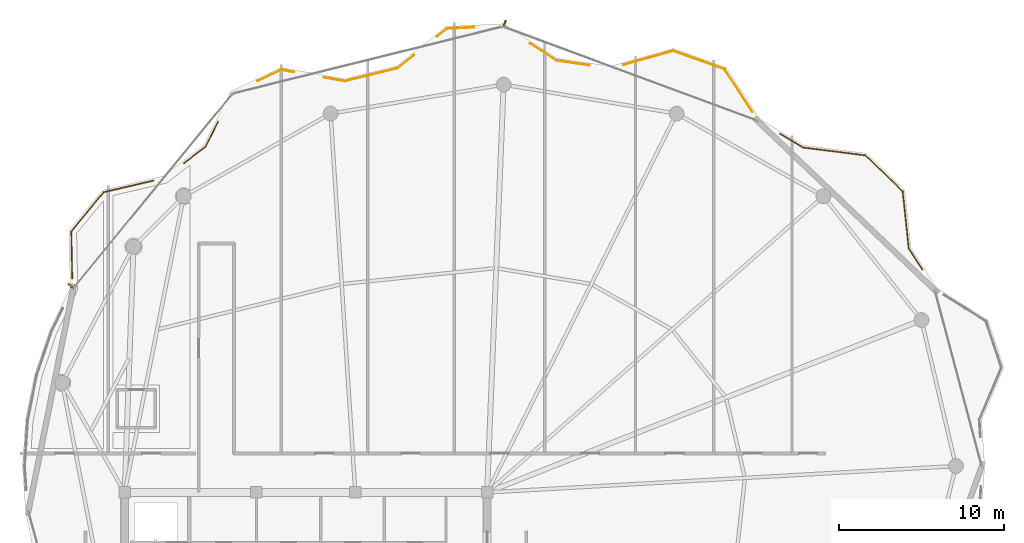
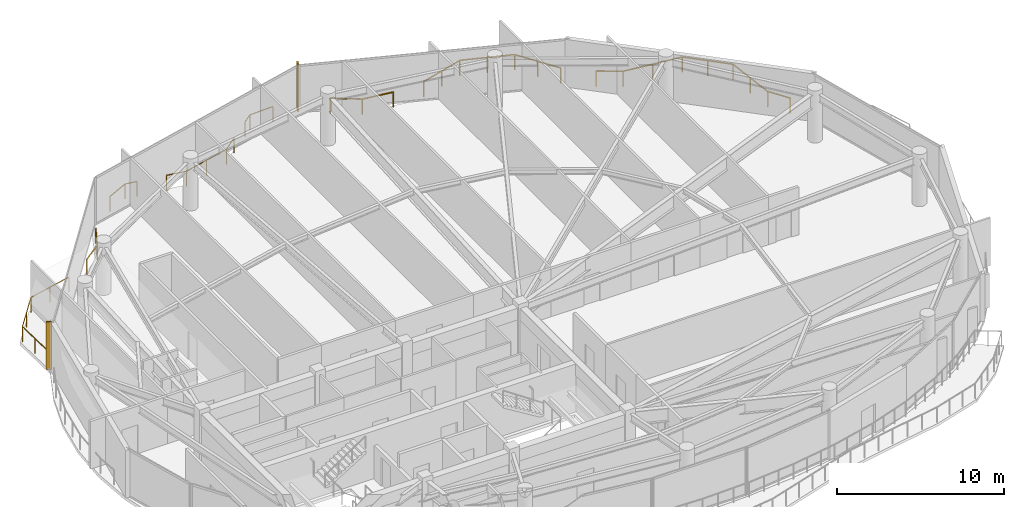
# One storey, part 29 of 29: 8 railings, 2 shading devices.
"""IFC4 building model written with IfcOpenShell, lengths in metres."""

from ifc_helpers import new_model, si_unit, direction, frame, origin, origin_2d, place, context, subcontext, project, spatial, rectangle, extrude, material, type_object, element, save


model = new_model("IFC4")

# Units and contexts
model_context = context("Model", 3, precision=1e-05, world=origin(), true_north=direction((0.0, 1.0)))
body_context = subcontext(model_context, "Body", "Model", "MODEL_VIEW")
ifc_project = project(units=[si_unit("LENGTHUNIT", "METRE"), si_unit("AREAUNIT", "SQUARE_METRE"), si_unit("VOLUMEUNIT", "CUBIC_METRE"), si_unit("PLANEANGLEUNIT", "RADIAN"), si_unit("MASSUNIT", "GRAM", prefix="KILO")], contexts=[model_context])

# Site, building, storey
site_placement = place(None, origin())
site = spatial("IfcSite", under=ifc_project, at=site_placement, CompositionType="ELEMENT")
building_placement = place(site_placement, origin())
building = spatial("IfcBuilding", under=site, at=building_placement, Name="Kazevale Care Tower and Concert Hall", CompositionType="ELEMENT")
storey_placement = place(building_placement, frame((0.0, 0.0, 289.0)))
storey = spatial("IfcBuildingStorey", under=building, at=storey_placement, Name="L76", CompositionType="ELEMENT", Elevation=289.0)

# Railings
ifc_material_1 = material(Name="Anodised Bronze Aluminium and Laminated Glass", Category="aluminium")
railing_type = type_object("IfcRailingType", Name="Balcony and Terrace Balustrade 1120", PredefinedType="BALUSTRADE", material=ifc_material_1)
railing_1_placement = place(storey_placement, frame((18.821044921875, 49.384033203125, 0.0)))
element("IfcRailing", 1, at=railing_1_placement, inside=storey, type_object=railing_type, Name="rail:L76:perim:2", PredefinedType="BALUSTRADE", context=body_context, shape_type="SweptSolid", body=[
    extrude(rectangle(XDim=0.048095703125, YDim=0.048095703125, at=origin_2d()), frame((0.0, 0.0, 1.09619140625), z_axis=(-0.019684594685, 0.999806239595, 0.0), x_axis=(-0.999806239595, -0.019684594685, 0.0)), (0.0, 0.0, 1.0), 2.8525390625),
    extrude(rectangle(XDim=0.048095703125, YDim=0.048095703125, at=origin_2d()), frame((-0.05615234375, 2.85205078125, 1.09619140625), z_axis=(0.635732243255, 0.771909654614, 0.0), x_axis=(-0.771909654614, 0.635732243255, 0.0)), (0.0, 0.0, 1.0), 3.081787109375),
    extrude(rectangle(XDim=0.048095703125, YDim=0.048095703125, at=origin_2d()), frame((1.903076171875, 5.23095703125, 1.09619140625), z_axis=(0.973717091903, 0.227760894218, 0.0), x_axis=(-0.227760894218, 0.973717091903, 0.0)), (0.0, 0.0, 1.0), 3.108642578125),
    extrude(rectangle(XDim=0.0419921875, YDim=0.0419921875, at=origin_2d()), origin(), (0.0, 0.0, 1.0), 1.072021484375),
    extrude(rectangle(XDim=0.0419921875, YDim=0.0419921875, at=origin_2d()), frame((-0.028076171875, 1.426025390625, 0.0)), (0.0, 0.0, 1.0), 1.072021484375),
    extrude(rectangle(XDim=0.0419921875, YDim=0.0419921875, at=origin_2d()), frame((-0.05615234375, 2.85205078125, 0.0)), (0.0, 0.0, 1.0), 1.072021484375),
    extrude(rectangle(XDim=0.0419921875, YDim=0.0419921875, at=origin_2d()), frame((0.92333984375, 4.04150390625, 0.0)), (0.0, 0.0, 1.0), 1.072021484375),
    extrude(rectangle(XDim=0.0419921875, YDim=0.0419921875, at=origin_2d()), frame((1.903076171875, 5.23095703125, 0.0)), (0.0, 0.0, 1.0), 1.072021484375),
    extrude(rectangle(XDim=0.0419921875, YDim=0.0419921875, at=origin_2d()), frame((3.41650390625, 5.5849609375, 0.0)), (0.0, 0.0, 1.0), 1.072021484375),
    extrude(rectangle(XDim=0.0419921875, YDim=0.0419921875, at=origin_2d()), frame((4.929931640625, 5.93896484375, 0.0)), (0.0, 0.0, 1.0), 1.072021484375),
])
railing_2_placement = place(storey_placement, frame((25.59912109375, 56.381103515625, 0.0)))
element("IfcRailing", 2, at=railing_2_placement, inside=storey, type_object=railing_type, Name="rail:L76:perim:3", PredefinedType="BALUSTRADE", context=body_context, shape_type="SweptSolid", body=[
    extrude(rectangle(XDim=0.048095703125, YDim=0.048095703125, at=origin_2d()), frame((0.0, 0.0, 1.09619140625), z_axis=(0.795462442942, 0.606002889323, 0.0), x_axis=(-0.606002889323, 0.795462442942, 0.0)), (0.0, 0.0, 1.0), 1.6416015625),
    extrude(rectangle(XDim=0.048095703125, YDim=0.048095703125, at=origin_2d()), frame((1.305908203125, 0.994873046875, 1.09619140625), z_axis=(0.44698682814, 0.894540538751, 0.0), x_axis=(-0.894540538751, 0.44698682814, 0.0)), (0.0, 0.0, 1.0), 1.72265625),
    extrude(rectangle(XDim=0.0419921875, YDim=0.0419921875, at=origin_2d()), origin(), (0.0, 0.0, 1.0), 1.072021484375),
    extrude(rectangle(XDim=0.0419921875, YDim=0.0419921875, at=origin_2d()), frame((1.305908203125, 0.994873046875, 0.0)), (0.0, 0.0, 1.0), 1.072021484375),
    extrude(rectangle(XDim=0.0419921875, YDim=0.0419921875, at=origin_2d()), frame((2.075927734375, 2.535888671875, 0.0)), (0.0, 0.0, 1.0), 1.072021484375),
])
railing_3_placement = place(storey_placement, frame((30.0830078125, 61.367919921875, 0.0)))
element("IfcRailing", 3, at=railing_3_placement, inside=storey, type_object=railing_type, Name="rail:L76:perim:4", PredefinedType="BALUSTRADE", context=body_context, shape_type="SweptSolid", body=[
    extrude(rectangle(XDim=0.048095703125, YDim=0.048095703125, at=origin_2d()), frame((0.0, 0.0, 1.09619140625), z_axis=(0.902765880036, 0.430132265522, 0.0), x_axis=(-0.430132265522, 0.902765880036, 0.0)), (0.0, 0.0, 1.0), 1.573974609375),
    extrude(rectangle(XDim=0.048095703125, YDim=0.048095703125, at=origin_2d()), frame((1.4208984375, 0.677001953125, 1.09619140625), z_axis=(0.984624142396, -0.174686285128, 0.0), x_axis=(0.174686285128, 0.984624142396, 0.0)), (0.0, 0.0, 1.0), 0.77294921875),
    extrude(rectangle(XDim=0.0419921875, YDim=0.0419921875, at=origin_2d()), origin(), (0.0, 0.0, 1.0), 1.072021484375),
    extrude(rectangle(XDim=0.0419921875, YDim=0.0419921875, at=origin_2d()), frame((1.4208984375, 0.677001953125, 0.0)), (0.0, 0.0, 1.0), 1.072021484375),
    extrude(rectangle(XDim=0.0419921875, YDim=0.0419921875, at=origin_2d()), frame((2.181884765625, 0.5419921875, 0.0)), (0.0, 0.0, 1.0), 1.072021484375),
])
railing_4_placement = place(storey_placement, frame((34.10400390625, 61.5830078125, 0.0)))
element("IfcRailing", 4, at=railing_4_placement, inside=storey, type_object=railing_type, Name="rail:L76:perim:5", PredefinedType="BALUSTRADE", context=body_context, shape_type="SweptSolid", body=[
    extrude(rectangle(XDim=0.048095703125, YDim=0.048095703125, at=origin_2d()), frame((0.0, 0.0, 1.09619140625), z_axis=(0.984640768369, -0.174592546421, 0.0), x_axis=(0.174592546421, 0.984640768369, 0.0)), (0.0, 0.0, 1.0), 1.276611328125),
    extrude(rectangle(XDim=0.048095703125, YDim=0.048095703125, at=origin_2d()), frame((1.257080078125, -0.222900390625, 1.09619140625), z_axis=(0.971156562417, 0.23844272116, 0.0), x_axis=(-0.23844272116, 0.971156562417, 0.0)), (0.0, 0.0, 1.0), 3.300048828125),
    extrude(rectangle(XDim=0.048095703125, YDim=0.048095703125, at=origin_2d()), frame((4.4619140625, 0.56396484375, 1.09619140625), z_axis=(0.781170621765, 0.624317595211, 0.0), x_axis=(-0.624317595211, 0.781170621765, 0.0)), (0.0, 0.0, 1.0), 1.26220703125),
    extrude(rectangle(XDim=0.0419921875, YDim=0.0419921875, at=origin_2d()), origin(), (0.0, 0.0, 1.0), 1.072021484375),
    extrude(rectangle(XDim=0.0419921875, YDim=0.0419921875, at=origin_2d()), frame((1.257080078125, -0.222900390625, 0.0)), (0.0, 0.0, 1.0), 1.072021484375),
    extrude(rectangle(XDim=0.0419921875, YDim=0.0419921875, at=origin_2d()), frame((2.859375, 0.17041015625, 0.0)), (0.0, 0.0, 1.0), 1.072021484375),
    extrude(rectangle(XDim=0.0419921875, YDim=0.0419921875, at=origin_2d()), frame((4.4619140625, 0.56396484375, 0.0)), (0.0, 0.0, 1.0), 1.072021484375),
    extrude(rectangle(XDim=0.0419921875, YDim=0.0419921875, at=origin_2d()), frame((5.447998046875, 1.35205078125, 0.0)), (0.0, 0.0, 1.0), 1.072021484375),
])
railing_5_placement = place(storey_placement, frame((40.972900390625, 64.071044921875, 0.0)))
element("IfcRailing", 5, at=railing_5_placement, inside=storey, type_object=railing_type, Name="rail:L76:perim:6", PredefinedType="BALUSTRADE", context=body_context, shape_type="SweptSolid", body=[
    extrude(rectangle(XDim=0.048095703125, YDim=0.048095703125, at=origin_2d()), frame((0.0, 0.0, 1.09619140625), z_axis=(0.780837342425, 0.624734379297, 0.0), x_axis=(-0.624734379297, 0.780837342425, 0.0)), (0.0, 0.0, 1.0), 0.757080078125),
    extrude(rectangle(XDim=0.048095703125, YDim=0.048095703125, at=origin_2d()), frame((0.591064453125, 0.472900390625, 1.09619140625), z_axis=(0.998853537497, 0.047870770106, 0.0), x_axis=(-0.047870770106, 0.998853537497, 0.0)), (0.0, 0.0, 1.0), 1.632080078125),
    extrude(rectangle(XDim=0.0419921875, YDim=0.0419921875, at=origin_2d()), origin(), (0.0, 0.0, 1.0), 1.072021484375),
    extrude(rectangle(XDim=0.0419921875, YDim=0.0419921875, at=origin_2d()), frame((0.591064453125, 0.472900390625, 0.0)), (0.0, 0.0, 1.0), 1.072021484375),
    extrude(rectangle(XDim=0.0419921875, YDim=0.0419921875, at=origin_2d()), frame((2.22119140625, 0.551025390625, 0.0)), (0.0, 0.0, 1.0), 1.072021484375),
])
railing_6_placement = place(storey_placement, frame((46.60205078125, 63.65087890625, 0.0)))
element("IfcRailing", 6, at=railing_6_placement, inside=storey, type_object=railing_type, Name="rail:L76:perim:7", PredefinedType="BALUSTRADE", context=body_context, shape_type="SweptSolid", body=[
    extrude(rectangle(XDim=0.048095703125, YDim=0.048095703125, at=origin_2d()), frame((0.0, 0.0, 1.09619140625), z_axis=(0.840580024656, -0.541687384151, 0.0), x_axis=(0.541687384151, 0.840580024656, 0.0)), (0.0, 0.0, 1.0), 1.923583984375),
    extrude(rectangle(XDim=0.048095703125, YDim=0.048095703125, at=origin_2d()), frame((1.616943359375, -1.0419921875, 1.09619140625), z_axis=(0.989675952346, -0.143323094261, 0.0), x_axis=(0.143323094261, 0.989675952346, 0.0)), (0.0, 0.0, 1.0), 1.99462890625),
    extrude(rectangle(XDim=0.0419921875, YDim=0.0419921875, at=origin_2d()), origin(), (0.0, 0.0, 1.0), 1.072021484375),
    extrude(rectangle(XDim=0.0419921875, YDim=0.0419921875, at=origin_2d()), frame((1.616943359375, -1.0419921875, 0.0)), (0.0, 0.0, 1.0), 1.072021484375),
    extrude(rectangle(XDim=0.0419921875, YDim=0.0419921875, at=origin_2d()), frame((3.591064453125, -1.327880859375, 0.0)), (0.0, 0.0, 1.0), 1.072021484375),
])
railing_7_placement = place(storey_placement, frame((52.297119140625, 62.35498046875, 0.0)))
element("IfcRailing", 7, at=railing_7_placement, inside=storey, type_object=railing_type, Name="rail:L76:perim:8", PredefinedType="BALUSTRADE", context=body_context, shape_type="SweptSolid", body=[
    extrude(rectangle(XDim=0.048095703125, YDim=0.048095703125, at=origin_2d()), frame((0.0, 0.0, 1.09619140625), z_axis=(0.962541888318, 0.271133017601, 0.0), x_axis=(-0.271133017601, 0.962541888318, 0.0)), (0.0, 0.0, 1.0), 3.10205078125),
    extrude(rectangle(XDim=0.048095703125, YDim=0.048095703125, at=origin_2d()), frame((2.98583984375, 0.841064453125, 1.09619140625), z_axis=(0.941811449512, -0.336141627247, 0.0), x_axis=(0.336141627247, 0.941811449512, 0.0)), (0.0, 0.0, 1.0), 3.335205078125),
    extrude(rectangle(XDim=0.048095703125, YDim=0.048095703125, at=origin_2d()), frame((6.126953125, -0.280029296875, 1.09619140625), z_axis=(0.544988350595, -0.838443616301, 0.0), x_axis=(0.838443616301, 0.544988350595, 0.0)), (0.0, 0.0, 1.0), 3.080810546875),
    extrude(rectangle(XDim=0.0419921875, YDim=0.0419921875, at=origin_2d()), origin(), (0.0, 0.0, 1.0), 1.072021484375),
    extrude(rectangle(XDim=0.0419921875, YDim=0.0419921875, at=origin_2d()), frame((1.492919921875, 0.42041015625, 0.0)), (0.0, 0.0, 1.0), 1.072021484375),
    extrude(rectangle(XDim=0.0419921875, YDim=0.0419921875, at=origin_2d()), frame((2.98583984375, 0.841064453125, 0.0)), (0.0, 0.0, 1.0), 1.072021484375),
    extrude(rectangle(XDim=0.0419921875, YDim=0.0419921875, at=origin_2d()), frame((4.556396484375, 0.280517578125, 0.0)), (0.0, 0.0, 1.0), 1.072021484375),
    extrude(rectangle(XDim=0.0419921875, YDim=0.0419921875, at=origin_2d()), frame((6.126953125, -0.280029296875, 0.0)), (0.0, 0.0, 1.0), 1.072021484375),
    extrude(rectangle(XDim=0.0419921875, YDim=0.0419921875, at=origin_2d()), frame((6.96630859375, -1.571533203125, 0.0)), (0.0, 0.0, 1.0), 1.072021484375),
    extrude(rectangle(XDim=0.0419921875, YDim=0.0419921875, at=origin_2d()), frame((7.805908203125, -2.863037109375, 0.0)), (0.0, 0.0, 1.0), 1.072021484375),
])
railing_8_placement = place(storey_placement, frame((61.777099609375, 58.16796875, 0.0)))
element("IfcRailing", 8, at=railing_8_placement, inside=storey, type_object=railing_type, Name="rail:L76:perim:9", PredefinedType="BALUSTRADE", context=body_context, shape_type="SweptSolid", body=[
    extrude(rectangle(XDim=0.048095703125, YDim=0.048095703125, at=origin_2d()), frame((0.0, 0.0, 1.09619140625), z_axis=(0.855619888467, -0.517604681645, 0.0), x_axis=(0.517604681645, 0.855619888467, 0.0)), (0.0, 0.0, 1.0), 1.614990234375),
    extrude(rectangle(XDim=0.048095703125, YDim=0.048095703125, at=origin_2d()), frame((1.3818359375, -0.8359375, 1.09619140625), z_axis=(0.992164806557, -0.124935970122, 0.0), x_axis=(0.124935970122, 0.992164806557, 0.0)), (0.0, 0.0, 1.0), 3.833984375),
    extrude(rectangle(XDim=0.048095703125, YDim=0.048095703125, at=origin_2d()), frame((5.185791015625, -1.31494140625, 1.09619140625), z_axis=(0.719603950187, -0.694384731165, 0.0), x_axis=(0.694384731165, 0.719603950187, 0.0)), (0.0, 0.0, 1.0), 3.136474609375),
    extrude(rectangle(XDim=0.048095703125, YDim=0.048095703125, at=origin_2d()), frame((7.44287109375, -3.492919921875, 1.09619140625), z_axis=(0.105630257009, -0.994405475047, 0.0), x_axis=(0.994405475047, 0.105630257009, 0.0)), (0.0, 0.0, 1.0), 3.49462890625),
    extrude(rectangle(XDim=0.048095703125, YDim=0.048095703125, at=origin_2d()), frame((7.81201171875, -6.968017578125, 1.09619140625), z_axis=(0.543819718674, -0.839202069576, 0.0), x_axis=(0.839202069576, 0.543819718674, 0.0)), (0.0, 0.0, 1.0), 1.513427734375),
    extrude(rectangle(XDim=0.0419921875, YDim=0.0419921875, at=origin_2d()), origin(), (0.0, 0.0, 1.0), 1.072021484375),
    extrude(rectangle(XDim=0.0419921875, YDim=0.0419921875, at=origin_2d()), frame((1.3818359375, -0.8359375, 0.0)), (0.0, 0.0, 1.0), 1.072021484375),
    extrude(rectangle(XDim=0.0419921875, YDim=0.0419921875, at=origin_2d()), frame((3.28369140625, -1.075439453125, 0.0)), (0.0, 0.0, 1.0), 1.072021484375),
    extrude(rectangle(XDim=0.0419921875, YDim=0.0419921875, at=origin_2d()), frame((5.185791015625, -1.31494140625, 0.0)), (0.0, 0.0, 1.0), 1.072021484375),
    extrude(rectangle(XDim=0.0419921875, YDim=0.0419921875, at=origin_2d()), frame((6.314453125, -2.40380859375, 0.0)), (0.0, 0.0, 1.0), 1.072021484375),
    extrude(rectangle(XDim=0.0419921875, YDim=0.0419921875, at=origin_2d()), frame((7.44287109375, -3.492919921875, 0.0)), (0.0, 0.0, 1.0), 1.072021484375),
    extrude(rectangle(XDim=0.0419921875, YDim=0.0419921875, at=origin_2d()), frame((7.62744140625, -5.23046875, 0.0)), (0.0, 0.0, 1.0), 1.072021484375),
    extrude(rectangle(XDim=0.0419921875, YDim=0.0419921875, at=origin_2d()), frame((7.81201171875, -6.968017578125, 0.0)), (0.0, 0.0, 1.0), 1.072021484375),
    extrude(rectangle(XDim=0.0419921875, YDim=0.0419921875, at=origin_2d()), frame((8.635009765625, -8.238037109375, 0.0)), (0.0, 0.0, 1.0), 1.072021484375),
])

# Shading devices
ifc_material_2 = material(Name="Anodised Bronze Aluminium", Category="aluminium")
shading_device_type = type_object("IfcShadingDeviceType", Name="Waist Anodised Bronze-Stone Fin FIN-02", PredefinedType="USERDEFINED", material=ifc_material_2)
for number, where, z_axis, x_axis, name in (
    (9, (18.7001953125, 48.95703125, 0.0), (0.0, 0.0, 1.0), (-0.773840209727, 0.633380872628, 0.0), "cw:L76:f14:fin"),
    (10, (45.077392578125, 64.893310546875, 0.0), (0.0, 0.0, 1.0), (0.346935651573, 0.937888934612, 0.0), "cw:L76:f16:fin"),
):
    element("IfcShadingDevice", number, at=place(storey_placement, frame(where, z_axis=z_axis, x_axis=x_axis)), inside=storey, type_object=shading_device_type, Name=name, ObjectType="FIN", PredefinedType="USERDEFINED", context=body_context, shape_type="SweptSolid", body=[
        extrude(rectangle(XDim=0.340087890625, YDim=0.10009765625, at=origin_2d()), origin(), (0.0, 0.0, 1.0), 3.47998046875),
    ])

save(model, "model.ifc")
